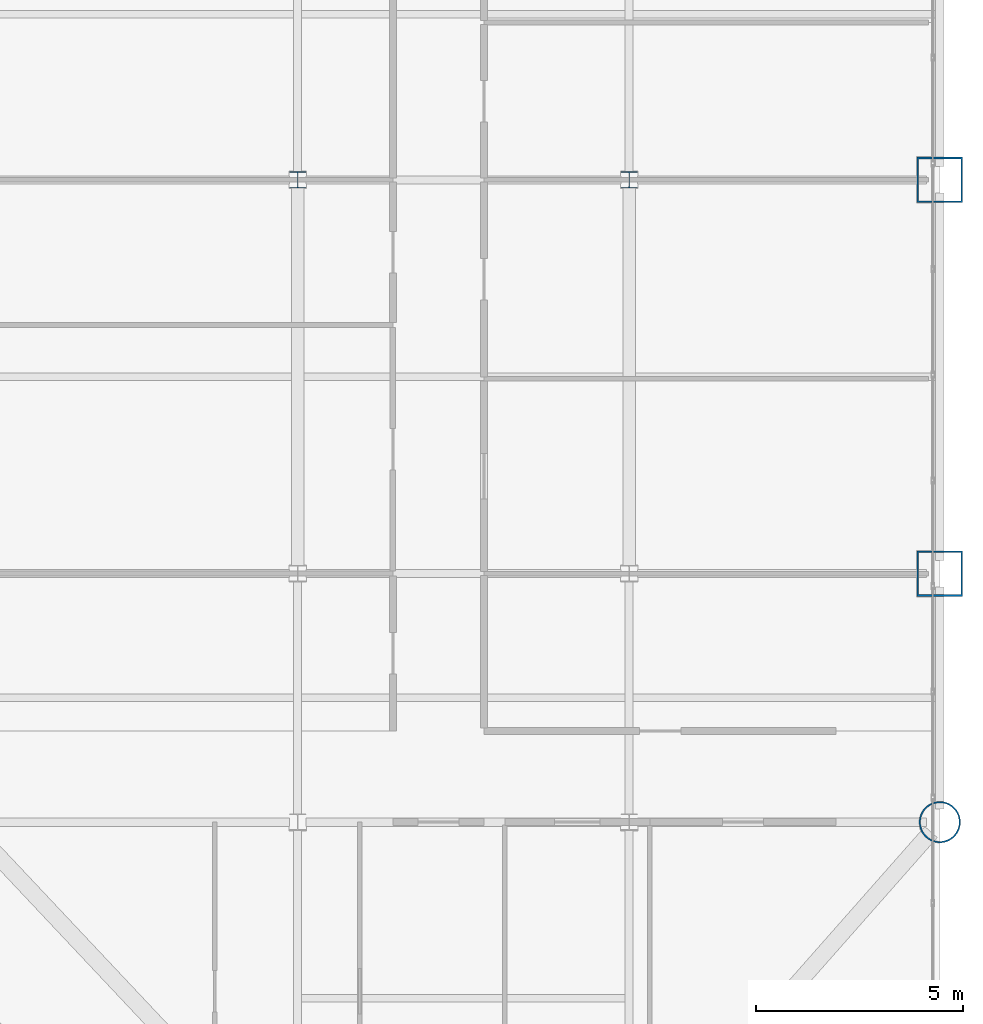
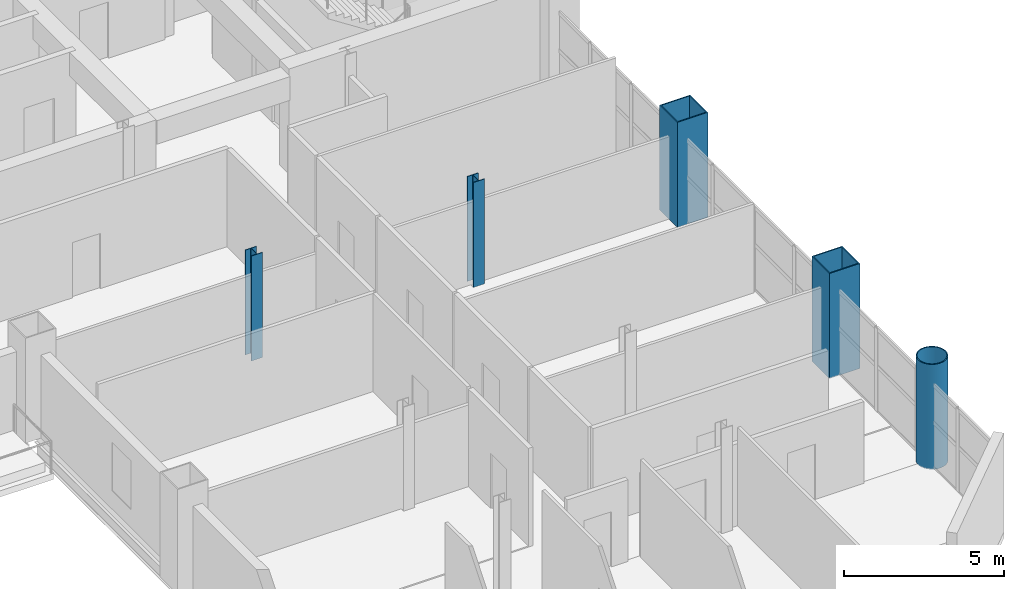
# One storey, part 2 of 16: 5 columns.
"""IFC4 building model written with IfcOpenShell, lengths in metres."""

from ifc_helpers import new_model, si_unit, direction, frame, origin, origin_2d, place, context, subcontext, project, spatial, hollow_rectangle, hollow_circle, i_section, extrude, material, material_profile, profile_set, type_object, element, save


model = new_model("IFC4")

# Units and contexts
model_context = context("Model", 3, precision=1e-05, world=origin(), true_north=direction((0.0, 1.0)))
body_context = subcontext(model_context, "Body", "Model", "MODEL_VIEW")
ifc_project = project(units=[si_unit("LENGTHUNIT", "METRE"), si_unit("AREAUNIT", "SQUARE_METRE"), si_unit("VOLUMEUNIT", "CUBIC_METRE"), si_unit("PLANEANGLEUNIT", "RADIAN"), si_unit("MASSUNIT", "GRAM", prefix="KILO")], contexts=[model_context])

# Site, building, storey
site_placement = place(None, origin())
site = spatial("IfcSite", under=ifc_project, at=site_placement, CompositionType="ELEMENT")
building_placement = place(site_placement, origin())
building = spatial("IfcBuilding", under=site, at=building_placement, Name="Qianrong Seaharbour Tower", CompositionType="ELEMENT")
storey_placement = place(building_placement, frame((0.0, 0.0, 123.0)))
storey = spatial("IfcBuildingStorey", under=building, at=storey_placement, Name="L29", CompositionType="ELEMENT", Elevation=123.0)

# Columns
ifc_material = material(Name="Structural steel SN490B", Category="steel")
ifc_material_profile_1 = material_profile(ifc_material, hollow_rectangle(XDim=1.10009765625, YDim=1.10009765625, WallThickness=0.0400390625, at=origin_2d()), Name="BOX1100x1100x40")
ifc_profile_set_1 = profile_set([ifc_material_profile_1], Name="Structural steel SN490B")
column_type_1 = type_object("IfcColumnType", Name="COL-CFT-1100", PredefinedType="COLUMN", material=ifc_profile_set_1)
for number, where, z_axis, x_axis, name in (
    (1, (64.0, 18.5, 0.0), (0.0, 0.0, 1.0), (1.0, 0.0, 0.0), "L29 Column MC-3 at G9/GD"),
    (2, (64.0, 28.0, 0.0), (0.0, 0.0, 1.0), (1.0, 0.0, 0.0), "L29 Column MC-3 at G9/GE"),
):
    element("IfcColumn", number, at=place(storey_placement, frame(where, z_axis=z_axis, x_axis=x_axis)), inside=storey, type_object=column_type_1, Name=name, PredefinedType="COLUMN", context=body_context, shape_type="SweptSolid", body=[
        extrude(hollow_rectangle(XDim=1.10009765625, YDim=1.10009765625, WallThickness=0.0400390625, at=origin_2d()), origin(), (0.0, 0.0, 1.0), 4.0),
    ])
ifc_material_profile_2 = material_profile(ifc_material, hollow_circle(Radius=0.5, WallThickness=0.035888671875, at=origin_2d()), Name="CHS1000x36")
ifc_profile_set_2 = profile_set([ifc_material_profile_2], Name="Structural steel SN490B")
column_type_2 = type_object("IfcColumnType", Name="COL-CHS-1000", PredefinedType="COLUMN", material=ifc_profile_set_2)
column_placement = place(storey_placement, frame((64.0, 12.5, 0.0), z_axis=(0.0, 0.0, 1.0), x_axis=(1.0, 0.0, 0.0)))
element("IfcColumn", 3, at=column_placement, inside=storey, type_object=column_type_2, Name="L29 Column CC-2 at G9/GC", PredefinedType="COLUMN", context=body_context, shape_type="SweptSolid", body=[
    extrude(hollow_circle(Radius=0.5, WallThickness=0.035888671875, at=origin_2d()), origin(), (0.0, 0.0, 1.0), 4.0),
])
ifc_material_profile_3 = material_profile(ifc_material, i_section(OverallWidth=0.39990234375, OverallDepth=0.39990234375, WebThickness=0.012939453125, FlangeThickness=0.02099609375, FilletRadius=0.02197265625, at=origin_2d()), Name="H400x400x13x21")
ifc_profile_set_3 = profile_set([ifc_material_profile_3], Name="Structural steel SN490B")
column_type_3 = type_object("IfcColumnType", Name="COL-INT-H400", PredefinedType="COLUMN", material=ifc_profile_set_3)
for number, where, z_axis, x_axis, name in (
    (4, (48.5, 28.0, 0.0), (0.0, 0.0, 1.0), (1.0, 0.0, 0.0), "L29 Column IC-3 at G7/GE"),
    (5, (56.5, 28.0, 0.0), (0.0, 0.0, 1.0), (1.0, 0.0, 0.0), "L29 Column IC-3 at G8/GE"),
):
    element("IfcColumn", number, at=place(storey_placement, frame(where, z_axis=z_axis, x_axis=x_axis)), inside=storey, type_object=column_type_3, Name=name, PredefinedType="COLUMN", context=body_context, shape_type="SweptSolid", body=[
        extrude(i_section(OverallWidth=0.39990234375, OverallDepth=0.39990234375, WebThickness=0.012939453125, FlangeThickness=0.02099609375, FilletRadius=0.02197265625, at=origin_2d()), origin(), (0.0, 0.0, 1.0), 4.0),
    ])

save(model, "model.ifc")
